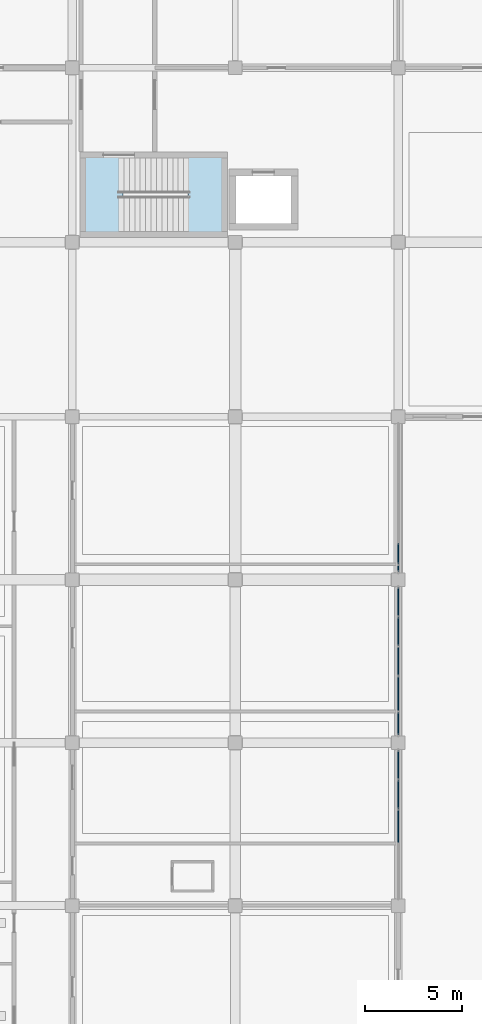
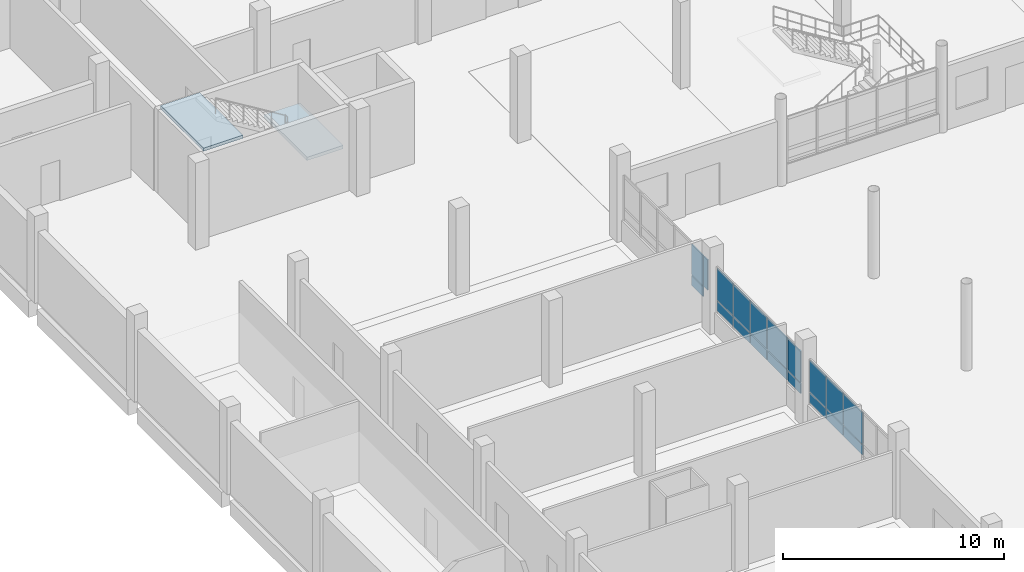
# One storey, part 68 of 95: 19 plates, 2 slabs, 4 elements without a shape of their own.
"""IFC4 building model written with IfcOpenShell, lengths in metres."""

from ifc_helpers import new_model, si_unit, direction, frame, origin, origin_2d, place, context, subcontext, project, spatial, polyline, rectangle, outline, extrude, material, layer, layer_set, type_object, element, aggregate, save


model = new_model("IFC4")

# Units and contexts
model_context = context("Model", 3, precision=1e-05, world=origin(), true_north=direction((0.0, 1.0)))
body_context = subcontext(model_context, "Body", "Model", "MODEL_VIEW")
ifc_project = project(units=[si_unit("LENGTHUNIT", "METRE"), si_unit("AREAUNIT", "SQUARE_METRE"), si_unit("VOLUMEUNIT", "CUBIC_METRE"), si_unit("PLANEANGLEUNIT", "RADIAN"), si_unit("MASSUNIT", "GRAM", prefix="KILO")], contexts=[model_context])

# Site, building, storey
site_placement = place(None, origin())
site = spatial("IfcSite", under=ifc_project, at=site_placement, CompositionType="ELEMENT")
building_placement = place(site_placement, origin())
building = spatial("IfcBuilding", under=site, at=building_placement, Name="Vireocrest Preparatory School", CompositionType="ELEMENT")
storey_placement = place(building_placement, origin())
storey = spatial("IfcBuildingStorey", under=building, at=storey_placement, Name="L00", CompositionType="ELEMENT", Elevation=0.0)

# Stair, slabs
ifc_material_1 = material(Name="Concrete 40 MPa", Category="concrete")
stair_type = type_object("IfcStairType", Name="Feature Commons Stair 4800 Rise 1800 Wide", PredefinedType="HALF_TURN_STAIR", material=ifc_material_1)
stair_placement = place(storey_placement, origin())
stair = element("IfcStair", 1, at=stair_placement, inside=storey, type_object=stair_type, Name="Two-Run Stair ST3-L00", PredefinedType="HALF_TURN_STAIR")
ifc_layer_1 = layer(ifc_material_1, 0.179931640625)
ifc_layer_set_1 = layer_set([ifc_layer_1], Name="Concrete 40 MPa")
slab_type = type_object("IfcSlabType", Name="Precast Concrete Stair Landing Slab 180", PredefinedType="LANDING", material=ifc_layer_set_1)
slab_1_placement = place(storey_placement, frame((0.0, 0.0, 2.219970703125)))
slab_1 = element("IfcSlab", 2, at=slab_1_placement, type_object=slab_type, Name="Stair Half-Landing ST3-L00", PredefinedType="LANDING", context=body_context, shape_type="SweptSolid", body=[
    extrude(outline(polyline([(56.360107421875, 95.31005859375), (58.2451171875, 95.31005859375), (58.2451171875, 99.18994140625), (56.360107421875, 99.18994140625), (56.360107421875, 95.31005859375)])), origin(), (0.0, 0.0, 1.0), 0.179931640625),
])
slab_2_placement = place(storey_placement, frame((0.0, 0.0, 4.6201171875)))
slab_2 = element("IfcSlab", 3, at=slab_2_placement, type_object=slab_type, Name="Stair Arrival Landing ST3-L00", PredefinedType="LANDING", context=body_context, shape_type="SweptSolid", body=[
    extrude(outline(polyline([(50.955078125, 95.31005859375), (53.010009765625, 95.31005859375), (53.010009765625, 99.18994140625), (50.955078125, 99.18994140625), (50.955078125, 95.31005859375)])), origin(), (0.0, 0.0, 1.0), 0.179931640625),
])
aggregate(stair, [slab_1, slab_2])

# Curtain wall, plates
ifc_material_2 = material(Name="Thermally broken aluminium EN AW-6063-T6", Category="aluminium")
ifc_layer_2 = layer(ifc_material_2, 0.179931640625)
ifc_layer_set_2 = layer_set([ifc_layer_2], Name="Thermally broken aluminium EN AW-6063-T6")
curtain_wall_type = type_object("IfcCurtainWallType", Name="Court Banded Curtain Wall 8400x3600", PredefinedType="USERDEFINED", material=ifc_layer_set_2)
curtain_wall_1_placement = place(storey_placement, origin())
curtain_wall_1 = element("IfcCurtainWall", 4, at=curtain_wall_1_placement, inside=storey, type_object=curtain_wall_type, Name="Curtain Wall CW01 CW_L00_CW01_0672_0609_012", ObjectType="CURTAIN WALL", PredefinedType="USERDEFINED")
ifc_material_3 = material(Name="Insulated triple low-e tempered safety glass", Category="glass")
ifc_layer_3 = layer(ifc_material_3, 0.06005859375)
ifc_layer_set_3 = layer_set([ifc_layer_3], Name="Insulated triple low-e tempered safety glass")
plate_type = type_object("IfcPlateType", Name="Triple-Glazed Vision Curtain Panel 60", PredefinedType="CURTAIN_PANEL", material=ifc_layer_set_3)
plate_1_placement = place(storey_placement, frame((67.199951171875, 64.681396484375, 1.277587890625), z_axis=(0.0, 0.0, 1.0), x_axis=(0.0, 1.0, 0.0)))
plate_1 = element("IfcPlate", 5, at=plate_1_placement, type_object=plate_type, Name="CW Panel GL1 CW_L00_CW01_0672_0609_012-3-1", PredefinedType="CURTAIN_PANEL", context=body_context, shape_type="SweptSolid", body=[
    extrude(rectangle(XDim=1.697998046875, YDim=0.06005859375, at=origin_2d()), origin(), (0.0, 0.0, 1.0), 0.5400390625),
])
plate_2_placement = place(storey_placement, frame((67.199951171875, 64.681396484375, 1.88232421875), z_axis=(0.0, 0.0, 1.0), x_axis=(0.0, 1.0, 0.0)))
plate_2 = element("IfcPlate", 6, at=plate_2_placement, type_object=plate_type, Name="CW Panel GL1 CW_L00_CW01_0672_0609_012-3-2", PredefinedType="CURTAIN_PANEL", context=body_context, shape_type="SweptSolid", body=[
    extrude(rectangle(XDim=1.697998046875, YDim=0.06005859375, at=origin_2d()), origin(), (0.0, 0.0, 1.0), 1.719970703125),
])
plate_3_placement = place(storey_placement, frame((67.199951171875, 66.325927734375, 1.277587890625), z_axis=(0.0, 0.0, 1.0), x_axis=(0.0, 1.0, 0.0)))
plate_3 = element("IfcPlate", 7, at=plate_3_placement, type_object=plate_type, Name="CW Panel GL1 CW_L00_CW01_0672_0609_012-4-1", PredefinedType="CURTAIN_PANEL", context=body_context, shape_type="SweptSolid", body=[
    extrude(rectangle(XDim=1.4609375, YDim=0.06005859375, at=origin_2d()), origin(), (0.0, 0.0, 1.0), 0.5400390625),
])
plate_4_placement = place(storey_placement, frame((67.199951171875, 66.325927734375, 1.88232421875), z_axis=(0.0, 0.0, 1.0), x_axis=(0.0, 1.0, 0.0)))
plate_4 = element("IfcPlate", 8, at=plate_4_placement, type_object=plate_type, Name="CW Panel GL1 CW_L00_CW01_0672_0609_012-4-2", PredefinedType="CURTAIN_PANEL", context=body_context, shape_type="SweptSolid", body=[
    extrude(rectangle(XDim=1.4609375, YDim=0.06005859375, at=origin_2d()), origin(), (0.0, 0.0, 1.0), 1.719970703125),
])
plate_5_placement = place(storey_placement, frame((67.199951171875, 67.85205078125, 1.277587890625), z_axis=(0.0, 0.0, 1.0), x_axis=(0.0, 1.0, 0.0)))
plate_5 = element("IfcPlate", 9, at=plate_5_placement, type_object=plate_type, Name="CW Panel GL1 CW_L00_CW01_0672_0609_012-5-1", PredefinedType="CURTAIN_PANEL", context=body_context, shape_type="SweptSolid", body=[
    extrude(rectangle(XDim=1.4609375, YDim=0.06005859375, at=origin_2d()), origin(), (0.0, 0.0, 1.0), 0.5400390625),
])
plate_6_placement = place(storey_placement, frame((67.199951171875, 67.85205078125, 1.88232421875), z_axis=(0.0, 0.0, 1.0), x_axis=(0.0, 1.0, 0.0)))
plate_6 = element("IfcPlate", 10, at=plate_6_placement, type_object=plate_type, Name="CW Panel GL1 CW_L00_CW01_0672_0609_012-5-2", PredefinedType="CURTAIN_PANEL", context=body_context, shape_type="SweptSolid", body=[
    extrude(rectangle(XDim=1.4609375, YDim=0.06005859375, at=origin_2d()), origin(), (0.0, 0.0, 1.0), 1.719970703125),
])
aggregate(curtain_wall_1, [plate_1, plate_2, plate_3, plate_4, plate_5, plate_6])

curtain_wall_2_placement = place(storey_placement, origin())
curtain_wall_2 = element("IfcCurtainWall", 11, at=curtain_wall_2_placement, inside=storey, type_object=curtain_wall_type, Name="Curtain Wall CW01 CW_L00_CW01_0672_0693_012", ObjectType="CURTAIN WALL", PredefinedType="USERDEFINED")
plate_7_placement = place(storey_placement, frame((67.199951171875, 69.992431640625, 1.277587890625), z_axis=(0.0, 0.0, 1.0), x_axis=(0.0, 1.0, 0.0)))
plate_7 = element("IfcPlate", 12, at=plate_7_placement, type_object=plate_type, Name="CW Panel GL1 CW_L00_CW01_0672_0693_012-1-1", PredefinedType="CURTAIN_PANEL", context=body_context, shape_type="SweptSolid", body=[
    extrude(rectangle(XDim=1.14990234375, YDim=0.06005859375, at=origin_2d()), origin(), (0.0, 0.0, 1.0), 0.5400390625),
])
plate_8_placement = place(storey_placement, frame((67.199951171875, 69.992431640625, 1.88232421875), z_axis=(0.0, 0.0, 1.0), x_axis=(0.0, 1.0, 0.0)))
plate_8 = element("IfcPlate", 13, at=plate_8_placement, type_object=plate_type, Name="CW Panel GL1 CW_L00_CW01_0672_0693_012-1-2", PredefinedType="CURTAIN_PANEL", context=body_context, shape_type="SweptSolid", body=[
    extrude(rectangle(XDim=1.14990234375, YDim=0.06005859375, at=origin_2d()), origin(), (0.0, 0.0, 1.0), 1.719970703125),
])
plate_9_placement = place(storey_placement, frame((67.199951171875, 71.5185546875, 1.277587890625), z_axis=(0.0, 0.0, 1.0), x_axis=(0.0, 1.0, 0.0)))
plate_9 = element("IfcPlate", 14, at=plate_9_placement, type_object=plate_type, Name="CW Panel GL1 CW_L00_CW01_0672_0693_012-2-1", PredefinedType="CURTAIN_PANEL", context=body_context, shape_type="SweptSolid", body=[
    extrude(rectangle(XDim=1.77197265625, YDim=0.06005859375, at=origin_2d()), origin(), (0.0, 0.0, 1.0), 0.5400390625),
])
plate_10_placement = place(storey_placement, frame((67.199951171875, 71.5185546875, 1.88232421875), z_axis=(0.0, 0.0, 1.0), x_axis=(0.0, 1.0, 0.0)))
plate_10 = element("IfcPlate", 15, at=plate_10_placement, type_object=plate_type, Name="CW Panel GL1 CW_L00_CW01_0672_0693_012-2-2", PredefinedType="CURTAIN_PANEL", context=body_context, shape_type="SweptSolid", body=[
    extrude(rectangle(XDim=1.77197265625, YDim=0.06005859375, at=origin_2d()), origin(), (0.0, 0.0, 1.0), 1.719970703125),
])
plate_11_placement = place(storey_placement, frame((67.199951171875, 73.199951171875, 1.277587890625), z_axis=(0.0, 0.0, 1.0), x_axis=(0.0, 1.0, 0.0)))
plate_11 = element("IfcPlate", 16, at=plate_11_placement, type_object=plate_type, Name="CW Panel GL1 CW_L00_CW01_0672_0693_012-3-1", PredefinedType="CURTAIN_PANEL", context=body_context, shape_type="SweptSolid", body=[
    extrude(rectangle(XDim=1.4609375, YDim=0.06005859375, at=origin_2d()), origin(), (0.0, 0.0, 1.0), 0.5400390625),
])
plate_12_placement = place(storey_placement, frame((67.199951171875, 73.199951171875, 1.88232421875), z_axis=(0.0, 0.0, 1.0), x_axis=(0.0, 1.0, 0.0)))
plate_12 = element("IfcPlate", 17, at=plate_12_placement, type_object=plate_type, Name="CW Panel GL1 CW_L00_CW01_0672_0693_012-3-2", PredefinedType="CURTAIN_PANEL", context=body_context, shape_type="SweptSolid", body=[
    extrude(rectangle(XDim=1.4609375, YDim=0.06005859375, at=origin_2d()), origin(), (0.0, 0.0, 1.0), 1.719970703125),
])
plate_13_placement = place(storey_placement, frame((67.199951171875, 74.72607421875, 1.277587890625), z_axis=(0.0, 0.0, 1.0), x_axis=(0.0, 1.0, 0.0)))
plate_13 = element("IfcPlate", 18, at=plate_13_placement, type_object=plate_type, Name="CW Panel GL1 CW_L00_CW01_0672_0693_012-4-1", PredefinedType="CURTAIN_PANEL", context=body_context, shape_type="SweptSolid", body=[
    extrude(rectangle(XDim=1.4609375, YDim=0.06005859375, at=origin_2d()), origin(), (0.0, 0.0, 1.0), 0.5400390625),
])
plate_14_placement = place(storey_placement, frame((67.199951171875, 74.72607421875, 1.88232421875), z_axis=(0.0, 0.0, 1.0), x_axis=(0.0, 1.0, 0.0)))
plate_14 = element("IfcPlate", 19, at=plate_14_placement, type_object=plate_type, Name="CW Panel GL1 CW_L00_CW01_0672_0693_012-4-2", PredefinedType="CURTAIN_PANEL", context=body_context, shape_type="SweptSolid", body=[
    extrude(rectangle(XDim=1.4609375, YDim=0.06005859375, at=origin_2d()), origin(), (0.0, 0.0, 1.0), 1.719970703125),
])
plate_15_placement = place(storey_placement, frame((67.199951171875, 76.251953125, 1.277587890625), z_axis=(0.0, 0.0, 1.0), x_axis=(0.0, 1.0, 0.0)))
plate_15 = element("IfcPlate", 20, at=plate_15_placement, type_object=plate_type, Name="CW Panel GL1 CW_L00_CW01_0672_0693_012-5-1", PredefinedType="CURTAIN_PANEL", context=body_context, shape_type="SweptSolid", body=[
    extrude(rectangle(XDim=1.4609375, YDim=0.06005859375, at=origin_2d()), origin(), (0.0, 0.0, 1.0), 0.5400390625),
])
plate_16_placement = place(storey_placement, frame((67.199951171875, 76.251953125, 1.88232421875), z_axis=(0.0, 0.0, 1.0), x_axis=(0.0, 1.0, 0.0)))
plate_16 = element("IfcPlate", 21, at=plate_16_placement, type_object=plate_type, Name="CW Panel GL1 CW_L00_CW01_0672_0693_012-5-2", PredefinedType="CURTAIN_PANEL", context=body_context, shape_type="SweptSolid", body=[
    extrude(rectangle(XDim=1.4609375, YDim=0.06005859375, at=origin_2d()), origin(), (0.0, 0.0, 1.0), 1.719970703125),
])
aggregate(curtain_wall_2, [plate_7, plate_8, plate_9, plate_10, plate_11, plate_12, plate_13, plate_14, plate_15, plate_16])

curtain_wall_3_placement = place(storey_placement, origin())
curtain_wall_3 = element("IfcCurtainWall", 22, at=curtain_wall_3_placement, inside=storey, type_object=curtain_wall_type, Name="Curtain Wall CW01 CW_L00_CW01_0672_0777_012", ObjectType="CURTAIN WALL", PredefinedType="USERDEFINED")
plate_17_placement = place(storey_placement, frame((67.199951171875, 77.992431640625, 1.882568359375), z_axis=(0.0, 0.0, 1.0), x_axis=(0.0, 1.0, 0.0)))
plate_17 = element("IfcPlate", 23, at=plate_17_placement, type_object=plate_type, Name="CW Panel GL1 CW_L00_CW01_0672_0777_012-1-2", PredefinedType="CURTAIN_PANEL", context=body_context, shape_type="SweptSolid", body=[
    extrude(rectangle(XDim=0.35009765625, YDim=0.06005859375, at=origin_2d()), origin(), (0.0, 0.0, 1.0), 1.669921875),
])
plate_18_placement = place(storey_placement, frame((67.199951171875, 78.755615234375, 1.277587890625), z_axis=(0.0, 0.0, 1.0), x_axis=(0.0, 1.0, 0.0)))
plate_18 = element("IfcPlate", 24, at=plate_18_placement, type_object=plate_type, Name="CW Panel GL1 CW_L00_CW01_0672_0777_012-2-1", PredefinedType="CURTAIN_PANEL", context=body_context, shape_type="SweptSolid", body=[
    extrude(rectangle(XDim=1.0458984375, YDim=0.06005859375, at=origin_2d()), origin(), (0.0, 0.0, 1.0), 0.5400390625),
])
plate_19_placement = place(storey_placement, frame((67.199951171875, 78.755615234375, 1.882568359375), z_axis=(0.0, 0.0, 1.0), x_axis=(0.0, 1.0, 0.0)))
plate_19 = element("IfcPlate", 25, at=plate_19_placement, type_object=plate_type, Name="CW Panel GL1 CW_L00_CW01_0672_0777_012-2-2", PredefinedType="CURTAIN_PANEL", context=body_context, shape_type="SweptSolid", body=[
    extrude(rectangle(XDim=1.0458984375, YDim=0.06005859375, at=origin_2d()), origin(), (0.0, 0.0, 1.0), 1.669921875),
])
aggregate(curtain_wall_3, [plate_17, plate_18, plate_19])

save(model, "model.ifc")
